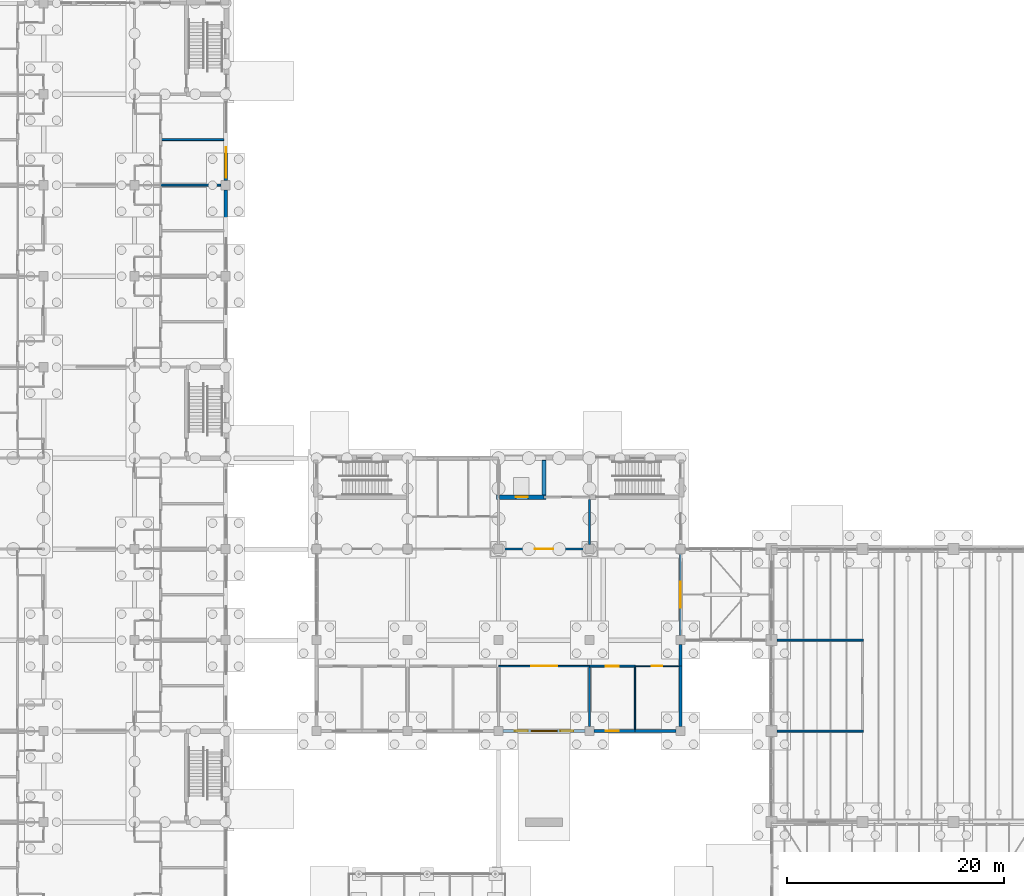
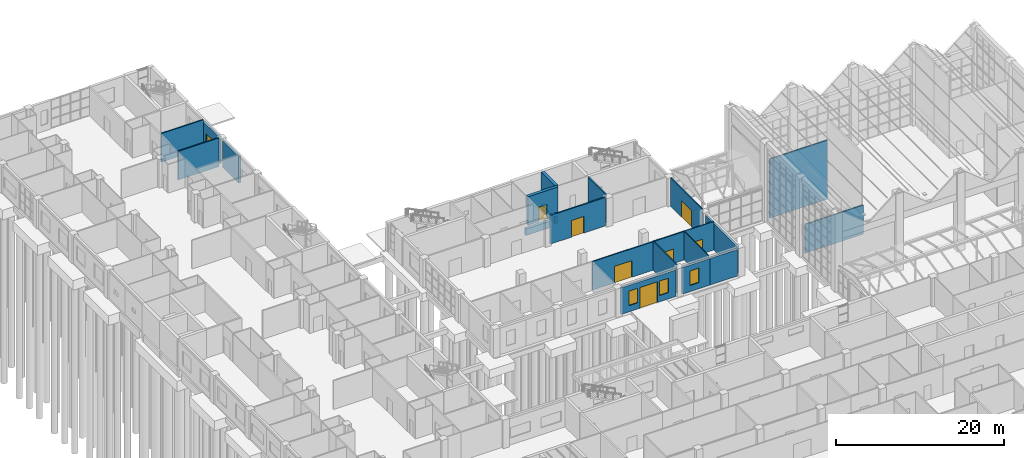
# One storey, part 109 of 138: 23 walls, 7 doors, 4 windows, 11 openings.
"""IFC4 building model written with IfcOpenShell, lengths in metres."""

import ifcopenshell
import ifcopenshell.guid

model = None  # the IFC model being written
_history = None  # IfcOwnerHistory: only IFC2X3 demands one
_inside = {}  # id of a spatial element -> (the spatial element, [elements in it])
_under = {}  # id of a project, library or spatial element -> (it, [spatial elements below it])
_declared = {}  # id of a project -> (the project, [libraries it declares])
_typed = {}  # id of a type object -> (the type object, [elements of that type])
_made_of = {}  # id of a material, layer set ... -> (it, [elements and type objects made of it])


def new_model(schema):
    """Start an empty IFC model of exactly this schema.

    Asked for "IFC4X3", IfcOpenShell would pick the latest addendum, in which some entities
    have other attributes; the version numbers below select the first issue.
    IFC2X3 requires an IfcOwnerHistory on every rooted entity: one is made here for all.
    """
    global model, _history
    if schema == "IFC4X3":
        model = ifcopenshell.file(schema_version=(4, 3, 0, 0))
    else:
        model = ifcopenshell.file(schema=schema)
    _inside.clear()
    _under.clear()
    _declared.clear()
    _typed.clear()
    _made_of.clear()
    _history = None
    if model.schema == "IFC2X3":
        org = make("IfcOrganization", Name="unknown")
        user = make(
            "IfcPersonAndOrganization",
            ThePerson=make("IfcPerson", FamilyName="unknown"),
            TheOrganization=org,
        )
        app = make(
            "IfcApplication",
            ApplicationDeveloper=org,
            Version="unknown",
            ApplicationFullName="unknown",
            ApplicationIdentifier="unknown",
        )
        _history = make(
            "IfcOwnerHistory",
            OwningUser=user,
            OwningApplication=app,
            ChangeAction="ADDED",
            CreationDate=0,
        )
    return model


def make(cls, **values):
    """One entity of the class cls with the attributes given. An attribute that is None is left unset."""
    return model.create_entity(
        cls, **{name: value for name, value in values.items() if value is not None}
    )


def rooted(cls, **values):
    """An entity with a GlobalId (a new one), such as an element, a storey or a relation."""
    return make(cls, GlobalId=ifcopenshell.guid.new(), OwnerHistory=_history, **values)


def si_unit(unit_type, name, prefix=None):
    """IfcSIUnit, for example si_unit("LENGTHUNIT", "METRE", prefix="MILLI")."""
    return make("IfcSIUnit", UnitType=unit_type, Prefix=prefix, Name=name)


def assignment(units):
    """IfcUnitAssignment: the units of a project."""
    return None if units is None else make("IfcUnitAssignment", Units=units)


def point(xyz):
    """IfcCartesianPoint."""
    return None if xyz is None else make("IfcCartesianPoint", Coordinates=xyz)


def direction(xyz):
    """IfcDirection."""
    return None if xyz is None else make("IfcDirection", DirectionRatios=xyz)


def frame(location, z_axis=None, x_axis=None):
    """IfcAxis2Placement3D, a coordinate frame: its origin and axes. An axis left out is left unset."""
    return make(
        "IfcAxis2Placement3D",
        Location=point(location),
        Axis=direction(z_axis),
        RefDirection=direction(x_axis),
    )


def frame_2d(location, x_axis=None):
    """IfcAxis2Placement2D, a coordinate frame in the plane: its origin and x axis."""
    return make(
        "IfcAxis2Placement2D", Location=point(location), RefDirection=direction(x_axis)
    )


def origin():
    """The frame at (0, 0, 0) with its axes left unset."""
    return frame((0.0, 0.0, 0.0))


def place(relative_to, where):
    """IfcLocalPlacement: puts the frame where relative to a parent placement (None: the world)."""
    return make(
        "IfcLocalPlacement", PlacementRelTo=relative_to, RelativePlacement=where
    )


def context(
    kind, dimensions, precision=None, world=None, true_north=None, identifier=None
):
    """IfcGeometricRepresentationContext, for example the 3D "Model" context."""
    return make(
        "IfcGeometricRepresentationContext",
        ContextIdentifier=identifier,
        ContextType=kind,
        CoordinateSpaceDimension=dimensions,
        Precision=precision,
        WorldCoordinateSystem=world,
        TrueNorth=true_north,
    )


def subcontext(parent, identifier, kind, view, scale=None):
    """IfcGeometricRepresentationSubContext, for example "Body" below "Model"."""
    return make(
        "IfcGeometricRepresentationSubContext",
        ContextIdentifier=identifier,
        ContextType=kind,
        ParentContext=parent,
        TargetScale=scale,
        TargetView=view,
    )


def project(units=None, contexts=None):
    """IfcProject with its units and contexts."""
    return rooted(
        "IfcProject",
        Name="project",
        RepresentationContexts=contexts,
        UnitsInContext=assignment(units),
    )


def spatial(cls, under=None, at=None, **own):
    """A site, building, storey or space (cls), placed at a placement, below another one or the project."""
    s = rooted(cls, ObjectPlacement=at, **own)
    if under is not None:
        _under.setdefault(under.id(), (under, []))[1].append(s)
    return s


def profile(cls, at=None, kind="AREA", **sizes):
    """A parametric profile (cls). Its sizes go by their IFC names, for example OverallWidth=200.0."""
    return make(cls, ProfileType=kind, Position=at, **sizes)


def rectangle(**sizes):
    """IfcRectangleProfileDef."""
    return profile("IfcRectangleProfileDef", **sizes)


def extrude(swept, where, along, depth):
    """IfcExtrudedAreaSolid: the profile swept, set in the frame where, extruded along a direction by depth."""
    return make(
        "IfcExtrudedAreaSolid",
        SweptArea=swept,
        Position=where,
        ExtrudedDirection=direction(along),
        Depth=depth,
    )


def shape(context_of_items, identifier, shape_type, items):
    """IfcShapeRepresentation: the items that make up one representation, for example the "Body"."""
    return make(
        "IfcShapeRepresentation",
        ContextOfItems=context_of_items,
        RepresentationIdentifier=identifier,
        RepresentationType=shape_type,
        Items=items,
    )


def material(Name=None, Category=None):
    """IfcMaterial."""
    return make("IfcMaterial", Name=Name, Category=Category)


def layer(
    of_material, thickness, ventilated=None, Name=None, Category=None, Priority=None
):
    """IfcMaterialLayer: one layer of a wall or slab, of a material (None: an air gap)."""
    return make(
        "IfcMaterialLayer",
        Material=of_material,
        LayerThickness=thickness,
        IsVentilated=ventilated,
        Name=Name,
        Category=Category,
        Priority=Priority,
    )


def layer_set(layers, Name=None):
    """IfcMaterialLayerSet."""
    return make("IfcMaterialLayerSet", MaterialLayers=layers, LayerSetName=Name)


def made_of(thing, what):
    """Note that an element or type object is made of a material, layer set ...; save() writes the relation."""
    if what is not None:
        _made_of.setdefault(what.id(), (what, []))[1].append(thing)
    return thing


def type_object(cls, material=None, **own):
    """A type object (cls), such as IfcWallType, which elements share."""
    return made_of(rooted(cls, **own), material)


def element(
    cls,
    number,
    at=None,
    inside=None,
    cuts=None,
    type_object=None,
    material=None,
    context=None,
    identifier="Body",
    shape_type=None,
    held_by="IfcProductDefinitionShape",
    body=None,
    shapes=None,
    **own,
):
    """One element of the class cls, such as IfcWall. Its Tag is "e" and its number.

    at: its placement. inside: the storey or other place that contains it. cuts: it is an
    opening in that element (IfcRelVoidsElement). A single representation is given by context,
    identifier, shape_type and body (its items); several are given by shapes. held_by: the class
    of the entity that holds the representations. save() writes the other relations.
    """
    e = rooted(cls, Tag="e%d" % number, ObjectPlacement=at, **own)
    if body is not None:
        shapes = [shape(context, identifier, shape_type, body)]
    if shapes is not None:
        e.Representation = make(held_by, Representations=shapes)
    if inside is not None:
        _inside.setdefault(inside.id(), (inside, []))[1].append(e)
    if cuts is not None:
        rooted(
            "IfcRelVoidsElement", RelatingBuildingElement=cuts, RelatedOpeningElement=e
        )
    if type_object is not None:
        _typed.setdefault(type_object.id(), (type_object, []))[1].append(e)
    return made_of(e, material)


def fill(opening, filler):
    """IfcRelFillsElement: the door or window that sits in an opening."""
    return rooted(
        "IfcRelFillsElement",
        RelatingOpeningElement=opening,
        RelatedBuildingElement=filler,
    )


def aggregate(whole, parts):
    """IfcRelAggregates: a whole, such as a stair, and the parts it consists of."""
    return rooted("IfcRelAggregates", RelatingObject=whole, RelatedObjects=parts)


def save(model, path):
    """Write the relations noted so far, then the file.

    IfcRelAggregates (storeys below a building ...), IfcRelContainedInSpatialStructure (elements
    in a storey), IfcRelDefinesByType, IfcRelAssociatesMaterial and IfcRelDeclares: one each for
    every whole, place, type object, material and project.
    """
    for whole, parts in _under.values():
        aggregate(whole, parts)
    for where, things in _inside.values():
        rooted(
            "IfcRelContainedInSpatialStructure",
            RelatedElements=things,
            RelatingStructure=where,
        )
    for kind, things in _typed.values():
        rooted("IfcRelDefinesByType", RelatedObjects=things, RelatingType=kind)
    for what, things in _made_of.values():
        rooted("IfcRelAssociatesMaterial", RelatedObjects=things, RelatingMaterial=what)
    for by, libraries in _declared.values():
        rooted("IfcRelDeclares", RelatingContext=by, RelatedDefinitions=libraries)
    model.write(path)


model = new_model("IFC4")

# Units and contexts
model_context = context("Model", 3, precision=1e-05, world=origin(), true_north=direction((0.0, 1.0)))
body_context = subcontext(model_context, "Body", "Model", "MODEL_VIEW")
ifc_project = project(units=[si_unit("LENGTHUNIT", "METRE"), si_unit("AREAUNIT", "SQUARE_METRE"), si_unit("VOLUMEUNIT", "CUBIC_METRE"), si_unit("PLANEANGLEUNIT", "RADIAN"), si_unit("MASSUNIT", "GRAM", prefix="KILO")], contexts=[model_context])

# Site, building, storey
site_placement = place(None, origin())
site = spatial("IfcSite", under=ifc_project, at=site_placement, CompositionType="ELEMENT")
building_placement = place(site_placement, origin())
building = spatial("IfcBuilding", under=site, at=building_placement, Name="Yavir Park General Hospital", CompositionType="ELEMENT")
storey_placement = place(building_placement, origin())
storey = spatial("IfcBuildingStorey", under=building, at=storey_placement, Name="L00", CompositionType="ELEMENT", Elevation=0.0)

# Wall
ifc_material_1 = material(Name="Double-leaf gypsum board acoustic partition on staggered studs")
ifc_layer_1 = layer(ifc_material_1, 0.175048828125)
ifc_layer_set_1 = layer_set([ifc_layer_1], Name="Double-leaf gypsum board acoustic partition on staggered studs")
wall_type_1 = type_object("IfcWallType", Name="Acoustic partition 175", PredefinedType="PARTITIONING", material=ifc_layer_set_1)
wall_1_placement = place(storey_placement, frame((76.10009765625, 50.39990234375, 0.0), z_axis=(0.0, 0.0, 1.0), x_axis=(1.0, 0.0, 0.0)))
element("IfcWall", 1, at=wall_1_placement, inside=storey, type_object=wall_type_1, Name="AP175 L00-128", PredefinedType="PARTITIONING", context=body_context, shape_type="SweptSolid", body=[
    extrude(rectangle(XDim=7.9873046875, YDim=0.175048828125, at=frame_2d((3.99365234375, 0.0))), origin(), (0.0, 0.0, 1.0), 4.199951171875),
])

# Wall, opening, door
wall_2_placement = place(storey_placement, frame((58.800048828125, 56.39990234375, 0.0), z_axis=(0.0, 0.0, 1.0), x_axis=(1.0, 0.0, 0.0)))
wall_2 = element("IfcWall", 2, at=wall_2_placement, inside=storey, type_object=wall_type_1, Name="AP175 L00-139", PredefinedType="PARTITIONING", context=body_context, shape_type="SweptSolid", body=[
    extrude(rectangle(XDim=4.199951171875, YDim=0.175048828125, at=frame_2d((2.10009765625, 0.0))), origin(), (0.0, 0.0, 1.0), 4.139892578125),
])
opening_1_placement = place(wall_2_placement, frame((1.5, 0.0, 0.0)))
opening_1 = element("IfcOpeningElement", 3, at=opening_1_placement, cuts=wall_2, Name="Opening L00.D095", PredefinedType="OPENING", context=body_context, shape_type="SweptSolid", body=[
    extrude(rectangle(XDim=1.199951171875, YDim=2.10009765625, at=frame_2d((0.60009765625, 1.050048828125))), frame((0.0, 0.097412109375, 0.0), z_axis=(0.0, -1.0, 0.0), x_axis=(1.0, 0.0, 0.0)), (0.0, 0.0, 1.0), 0.195068359375),
])
ifc_material_2 = material(Name="Sealed solid-core acoustic door leaf, Rw 42 dB")
door_type_1 = type_object("IfcDoorType", Name="Acoustic door 1200 x 2100", OperationType="SINGLE_SWING_LEFT", PredefinedType="DOOR", material=ifc_material_2)
door_1_placement = place(opening_1_placement, origin())
door_1 = element("IfcDoor", 4, at=door_1_placement, inside=storey, type_object=door_type_1, Name="L00.D095", OperationType="SINGLE_SWING_LEFT", OverallHeight=2.10009765625, OverallWidth=1.199951171875, PredefinedType="DOOR", context=body_context, shape_type="SweptSolid", body=[
    extrude(rectangle(XDim=1.199951171875, YDim=2.10009765625, at=frame_2d((0.60009765625, 1.050048828125))), frame((0.0, 0.03515625, 0.0), z_axis=(0.0, -1.0, 0.0), x_axis=(1.0, 0.0, 0.0)), (0.0, 0.0, 1.0), 0.070068359375),
])
fill(opening_1, door_1)

# Walls
wall_3_placement = place(storey_placement, frame((76.10009765625, 58.800048828125, 0.0), z_axis=(0.0, 0.0, 1.0), x_axis=(1.0, 0.0, 0.0)))
element("IfcWall", 5, at=wall_3_placement, inside=storey, type_object=wall_type_1, Name="AP175 L00-145", PredefinedType="PARTITIONING", context=body_context, shape_type="SweptSolid", body=[
    extrude(rectangle(XDim=7.9873046875, YDim=0.175048828125, at=frame_2d((3.99365234375, 0.0))), origin(), (0.0, 0.0, 1.0), 8.554931640625),
])
wall_4_placement = place(storey_placement, frame((19.199951171875, 100.800048828125, 0.0), z_axis=(0.0, 0.0, 1.0), x_axis=(1.0, 0.0, 0.0)))
element("IfcWall", 6, at=wall_4_placement, inside=storey, type_object=wall_type_1, Name="AP175 L00-229", PredefinedType="PARTITIONING", context=body_context, shape_type="SweptSolid", body=[
    extrude(rectangle(XDim=5.574951171875, YDim=0.175048828125, at=frame_2d((2.78759765625, 0.0))), origin(), (0.0, 0.0, 1.0), 4.139892578125),
])
wall_5_placement = place(storey_placement, frame((19.28759765625, 105.0, 0.0), z_axis=(0.0, 0.0, 1.0), x_axis=(1.0, 0.0, 0.0)))
element("IfcWall", 7, at=wall_5_placement, inside=storey, type_object=wall_type_1, Name="AP175 L00-236", PredefinedType="PARTITIONING", context=body_context, shape_type="SweptSolid", body=[
    extrude(rectangle(XDim=5.762451171875, YDim=0.175048828125, at=frame_2d((2.88134765625, 0.0))), origin(), (0.0, 0.0, 1.0), 4.139892578125),
])
wall_6_placement = place(storey_placement, frame((58.800048828125, 50.824951171875, 0.0), z_axis=(0.0, 0.0, 1.0), x_axis=(0.0, 1.0, 0.0)))
element("IfcWall", 8, at=wall_6_placement, inside=storey, type_object=wall_type_1, Name="AP175 L00-378", PredefinedType="PARTITIONING", context=body_context, shape_type="SweptSolid", body=[
    extrude(rectangle(XDim=5.487548828125, YDim=0.175048828125, at=frame_2d((2.74365234375, 0.0))), origin(), (0.0, 0.0, 1.0), 4.139892578125),
])

# Wall, openings, door, windows
ifc_material_3 = material(Name="Brick slip cladding on insulated block backing", Category="masonry")
ifc_layer_2 = layer(ifc_material_3, 0.27490234375)
ifc_layer_set_2 = layer_set([ifc_layer_2], Name="Brick slip cladding on insulated block backing")
wall_type_2 = type_object("IfcWallType", Name="Brick slip faced pavilion wall 275, E 30", PredefinedType="SOLIDWALL", material=ifc_layer_set_2)
wall_7_placement = place(storey_placement, frame((50.824951171875, 50.41259765625, 0.0), z_axis=(0.0, 0.0, 1.0), x_axis=(1.0, 0.0, 0.0)))
wall_7 = element("IfcWall", 9, at=wall_7_placement, inside=storey, type_object=wall_type_2, Name="XW3 L00-061", PredefinedType="SOLIDWALL", context=body_context, shape_type="SweptSolid", body=[
    extrude(rectangle(XDim=7.550048828125, YDim=0.27490234375, at=frame_2d((3.77490234375, 0.0))), origin(), (0.0, 0.0, 1.0), 3.840087890625),
])
opening_2_placement = place(wall_7_placement, frame((1.074951171875, 0.0, 0.89990234375)))
opening_2 = element("IfcOpeningElement", 10, at=opening_2_placement, cuts=wall_7, Name="Opening WD2", PredefinedType="OPENING", context=body_context, shape_type="SweptSolid", body=[
    extrude(rectangle(XDim=1.199951171875, YDim=2.10009765625, at=frame_2d((0.60009765625, 1.050048828125))), frame((0.0, 0.1474609375, 0.0), z_axis=(0.0, -1.0, 0.0), x_axis=(1.0, 0.0, 0.0)), (0.0, 0.0, 1.0), 0.294921875),
])
opening_3_placement = place(wall_7_placement, frame((5.27490234375, 0.0, 0.89990234375)))
opening_3 = element("IfcOpeningElement", 11, at=opening_3_placement, cuts=wall_7, Name="Opening WD2", PredefinedType="OPENING", context=body_context, shape_type="SweptSolid", body=[
    extrude(rectangle(XDim=1.199951171875, YDim=2.10009765625, at=frame_2d((0.60009765625, 1.050048828125))), frame((0.0, 0.1474609375, 0.0), z_axis=(0.0, -1.0, 0.0), x_axis=(1.0, 0.0, 0.0)), (0.0, 0.0, 1.0), 0.294921875),
])
opening_4_placement = place(wall_7_placement, frame((2.574951171875, 0.0, 0.0)))
opening_4 = element("IfcOpeningElement", 12, at=opening_4_placement, cuts=wall_7, Name="Opening L00.X15", PredefinedType="OPENING", context=body_context, shape_type="SweptSolid", body=[
    extrude(rectangle(XDim=2.39990234375, YDim=3.0, at=frame_2d((1.199951171875, 1.5))), frame((0.0, 0.1474609375, 0.0), z_axis=(0.0, -1.0, 0.0), x_axis=(1.0, 0.0, 0.0)), (0.0, 0.0, 1.0), 0.294921875),
])
ifc_material_4 = material(Name="Aluminium frame, toughened glass leaves", Category="aluminium")
door_type_2 = type_object("IfcDoorType", Name="Automatic entrance sliding door 2400 x 3000", OperationType="DOUBLE_DOOR_SLIDING", PredefinedType="DOOR", material=ifc_material_4)
door_2_placement = place(opening_4_placement, frame((2.39990234375, 0.0, 0.0), x_axis=(-1.0, 0.0, 0.0)))
door_2 = element("IfcDoor", 13, at=door_2_placement, inside=storey, type_object=door_type_2, Name="L00.X15", OperationType="DOUBLE_DOOR_SLIDING", OverallHeight=3.0, OverallWidth=2.39990234375, PredefinedType="DOOR", context=body_context, shape_type="SweptSolid", body=[
    extrude(rectangle(XDim=2.39990234375, YDim=3.0, at=frame_2d((1.199951171875, 1.5))), frame((0.0, 0.06005859375, 0.0), z_axis=(0.0, -1.0, 0.0), x_axis=(1.0, 0.0, 0.0)), (0.0, 0.0, 1.0), 0.1201171875),
])
fill(opening_4, door_2)
ifc_material_5 = material(Name="Aluminium frame, double glazed unit", Category="aluminium")
window_type_1 = type_object("IfcWindowType", Name="Tall office window 1200 x 2100", PartitioningType="SINGLE_PANEL", PredefinedType="WINDOW", material=ifc_material_5)
window_1_placement = place(opening_2_placement, origin())
window_1 = element("IfcWindow", 14, at=window_1_placement, inside=storey, type_object=window_type_1, Name="WD2 L00-019", OverallHeight=2.10009765625, OverallWidth=1.199951171875, PartitioningType="SINGLE_PANEL", PredefinedType="WINDOW", context=body_context, shape_type="SweptSolid", body=[
    extrude(rectangle(XDim=1.199951171875, YDim=2.10009765625, at=frame_2d((0.60009765625, 1.050048828125))), frame((0.0, 0.030029296875, 0.0), z_axis=(0.0, -1.0, 0.0), x_axis=(1.0, 0.0, 0.0)), (0.0, 0.0, 1.0), 0.06005859375),
])
fill(opening_2, window_1)
window_2_placement = place(opening_3_placement, origin())
window_2 = element("IfcWindow", 15, at=window_2_placement, inside=storey, type_object=window_type_1, Name="WD2 L00-020", OverallHeight=2.10009765625, OverallWidth=1.199951171875, PartitioningType="SINGLE_PANEL", PredefinedType="WINDOW", context=body_context, shape_type="SweptSolid", body=[
    extrude(rectangle(XDim=1.199951171875, YDim=2.10009765625, at=frame_2d((0.60009765625, 1.050048828125))), frame((0.0, 0.030029296875, 0.0), z_axis=(0.0, -1.0, 0.0), x_axis=(1.0, 0.0, 0.0)), (0.0, 0.0, 1.0), 0.06005859375),
])
fill(opening_3, window_2)

# Wall, opening, window
wall_8_placement = place(storey_placement, frame((59.22509765625, 50.41259765625, 0.0), z_axis=(0.0, 0.0, 1.0), x_axis=(1.0, 0.0, 0.0)))
wall_8 = element("IfcWall", 16, at=wall_8_placement, inside=storey, type_object=wall_type_2, Name="XW3 L00-062", PredefinedType="SOLIDWALL", context=body_context, shape_type="SweptSolid", body=[
    extrude(rectangle(XDim=3.77490234375, YDim=0.27490234375, at=frame_2d((1.887451171875, 0.0))), origin(), (0.0, 0.0, 1.0), 3.840087890625),
])
opening_5_placement = place(wall_8_placement, frame((1.074951171875, 0.0, 0.89990234375)))
opening_5 = element("IfcOpeningElement", 17, at=opening_5_placement, cuts=wall_8, Name="Opening WD2", PredefinedType="OPENING", context=body_context, shape_type="SweptSolid", body=[
    extrude(rectangle(XDim=1.199951171875, YDim=2.10009765625, at=frame_2d((0.60009765625, 1.050048828125))), frame((0.0, 0.1474609375, 0.0), z_axis=(0.0, -1.0, 0.0), x_axis=(1.0, 0.0, 0.0)), (0.0, 0.0, 1.0), 0.294921875),
])
window_3_placement = place(opening_5_placement, origin())
window_3 = element("IfcWindow", 18, at=window_3_placement, inside=storey, type_object=window_type_1, Name="WD2 L00-021", OverallHeight=2.10009765625, OverallWidth=1.199951171875, PartitioningType="SINGLE_PANEL", PredefinedType="WINDOW", context=body_context, shape_type="SweptSolid", body=[
    extrude(rectangle(XDim=1.199951171875, YDim=2.10009765625, at=frame_2d((0.60009765625, 1.050048828125))), frame((0.0, 0.030029296875, 0.0), z_axis=(0.0, -1.0, 0.0), x_axis=(1.0, 0.0, 0.0)), (0.0, 0.0, 1.0), 0.06005859375),
])
fill(opening_5, window_3)

# Walls
wall_9_placement = place(storey_placement, frame((63.0, 50.41259765625, 0.0), z_axis=(0.0, 0.0, 1.0), x_axis=(1.0, 0.0, 0.0)))
element("IfcWall", 19, at=wall_9_placement, inside=storey, type_object=wall_type_2, Name="XW3 L00-063", PredefinedType="SOLIDWALL", context=body_context, shape_type="SweptSolid", body=[
    extrude(rectangle(XDim=3.77490234375, YDim=0.27490234375, at=frame_2d((1.887451171875, 0.0))), origin(), (0.0, 0.0, 1.0), 3.840087890625),
])
wall_10_placement = place(storey_placement, frame((67.1875, 50.824951171875, 0.0), z_axis=(0.0, 0.0, 1.0), x_axis=(0.0, 1.0, 0.0)))
element("IfcWall", 20, at=wall_10_placement, inside=storey, type_object=wall_type_2, Name="XW3 L00-145", PredefinedType="SOLIDWALL", context=body_context, shape_type="SweptSolid", body=[
    extrude(rectangle(XDim=5.574951171875, YDim=0.27490234375, at=frame_2d((2.78759765625, 0.0))), origin(), (0.0, 0.0, 1.0), 3.840087890625),
])
wall_11_placement = place(storey_placement, frame((67.1875, 56.39990234375, 0.0), z_axis=(0.0, 0.0, 1.0), x_axis=(0.0, 1.0, 0.0)))
element("IfcWall", 21, at=wall_11_placement, inside=storey, type_object=wall_type_2, Name="XW3 L00-146", PredefinedType="SOLIDWALL", context=body_context, shape_type="SweptSolid", body=[
    extrude(rectangle(XDim=1.97509765625, YDim=0.27490234375, at=frame_2d((0.987548828125, 0.0))), origin(), (0.0, 0.0, 1.0), 3.840087890625),
])

# Wall, opening, door
ifc_material_6 = material(Name="Double gypsum board fire partition on steel studs", Category="steel")
ifc_layer_3 = layer(ifc_material_6, 0.199951171875)
ifc_layer_set_3 = layer_set([ifc_layer_3], Name="Double gypsum board fire partition on steel studs")
wall_type_3 = type_object("IfcWallType", Name="Fire-rated partition 200, EI 60", PredefinedType="PARTITIONING", material=ifc_layer_set_3)
wall_12_placement = place(storey_placement, frame((50.824951171875, 67.199951171875, 0.0), z_axis=(0.0, 0.0, 1.0), x_axis=(1.0, 0.0, 0.0)))
wall_12 = element("IfcWall", 22, at=wall_12_placement, inside=storey, type_object=wall_type_3, Name="FP20 L00-162", PredefinedType="PARTITIONING", context=body_context, shape_type="SweptSolid", body=[
    extrude(rectangle(XDim=7.550048828125, YDim=0.199951171875, at=frame_2d((3.77490234375, 0.0))), origin(), (0.0, 0.0, 1.0), 4.139892578125),
])
opening_6_placement = place(wall_12_placement, frame((2.925048828125, 0.0, 0.0)))
opening_6 = element("IfcOpeningElement", 23, at=opening_6_placement, cuts=wall_12, Name="Opening L00.D105", PredefinedType="OPENING", context=body_context, shape_type="SweptSolid", body=[
    extrude(rectangle(XDim=1.699951171875, YDim=2.39990234375, at=frame_2d((0.85009765625, 1.199951171875))), frame((0.0, 0.10986328125, 0.0), z_axis=(0.0, -1.0, 0.0), x_axis=(1.0, 0.0, 0.0)), (0.0, 0.0, 1.0), 0.219970703125),
])
ifc_material_7 = material(Name="Steel frame, fire-resisting timber leaves", Category="steel")
door_type_3 = type_object("IfcDoorType", Name="Double fire door 1700 x 2400, EI 60", OperationType="DOUBLE_DOOR_SINGLE_SWING", PredefinedType="DOOR", material=ifc_material_7)
door_3_placement = place(opening_6_placement, origin())
door_3 = element("IfcDoor", 24, at=door_3_placement, inside=storey, type_object=door_type_3, Name="L00.D105", OperationType="SINGLE_SWING_RIGHT", OverallHeight=2.39990234375, OverallWidth=1.699951171875, PredefinedType="DOOR", context=body_context, shape_type="SweptSolid", body=[
    extrude(rectangle(XDim=1.699951171875, YDim=2.39990234375, at=frame_2d((0.85009765625, 1.199951171875))), frame((0.0, 0.02490234375, 0.0), z_axis=(0.0, -1.0, 0.0), x_axis=(1.0, 0.0, 0.0)), (0.0, 0.0, 1.0), 0.050048828125),
])
fill(opening_6, door_3)

# Wall
wall_13_placement = place(storey_placement, frame((58.800048828125, 67.625, 0.0), z_axis=(0.0, 0.0, 1.0), x_axis=(0.0, 1.0, 0.0)))
element("IfcWall", 25, at=wall_13_placement, inside=storey, type_object=wall_type_3, Name="FP20 L00-379", PredefinedType="PARTITIONING", context=body_context, shape_type="SweptSolid", body=[
    extrude(rectangle(XDim=4.175048828125, YDim=0.199951171875, at=frame_2d((2.08740234375, 0.0))), origin(), (0.0, 0.0, 1.0), 4.139892578125),
])

# Wall, opening, door
ifc_material_8 = material(Name="Gypsum board partition on steel studs", Category="steel")
ifc_layer_4 = layer(ifc_material_8, 0.10009765625)
ifc_layer_set_4 = layer_set([ifc_layer_4], Name="Gypsum board partition on steel studs")
wall_type_4 = type_object("IfcWallType", Name="Gypsum board partition 100", PredefinedType="PARTITIONING", material=ifc_layer_set_4)
wall_14_placement = place(storey_placement, frame((63.0, 56.39990234375, 0.0), z_axis=(0.0, 0.0, 1.0), x_axis=(1.0, 0.0, 0.0)))
wall_14 = element("IfcWall", 26, at=wall_14_placement, inside=storey, type_object=wall_type_4, Name="P10 L00-140", PredefinedType="PARTITIONING", context=body_context, shape_type="SweptSolid", body=[
    extrude(rectangle(XDim=4.050048828125, YDim=0.10009765625, at=frame_2d((2.02490234375, 0.0))), origin(), (0.0, 0.0, 1.0), 4.139892578125),
])
opening_7_placement = place(wall_14_placement, frame((1.52490234375, 0.0, 0.0)))
opening_7 = element("IfcOpeningElement", 27, at=opening_7_placement, cuts=wall_14, Name="Opening L00.D096", PredefinedType="OPENING", context=body_context, shape_type="SweptSolid", body=[
    extrude(rectangle(XDim=1.0, YDim=2.10009765625, at=frame_2d((0.5, 1.050048828125))), frame((0.0, 0.06005859375, 0.0), z_axis=(0.0, -1.0, 0.0), x_axis=(1.0, 0.0, 0.0)), (0.0, 0.0, 1.0), 0.1201171875),
])
ifc_material_9 = material(Name="Hollow metal frame, solid-core timber leaf", Category="wood")
door_type_4 = type_object("IfcDoorType", Name="Single swing door 1000 x 2100", OperationType="SINGLE_SWING_LEFT", PredefinedType="DOOR", material=ifc_material_9)
door_4_placement = place(opening_7_placement, origin())
door_4 = element("IfcDoor", 28, at=door_4_placement, inside=storey, type_object=door_type_4, Name="L00.D096", OperationType="SINGLE_SWING_LEFT", OverallHeight=2.10009765625, OverallWidth=1.0, PredefinedType="DOOR", context=body_context, shape_type="SweptSolid", body=[
    extrude(rectangle(XDim=1.0, YDim=2.10009765625, at=frame_2d((0.5, 1.050048828125))), frame((0.0, 0.02490234375, 0.0), z_axis=(0.0, -1.0, 0.0), x_axis=(1.0, 0.0, 0.0)), (0.0, 0.0, 1.0), 0.050048828125),
])
fill(opening_7, door_4)

# Wall
wall_15_placement = place(storey_placement, frame((63.0, 50.550048828125, 0.0), z_axis=(0.0, 0.0, 1.0), x_axis=(0.0, 1.0, 0.0)))
element("IfcWall", 29, at=wall_15_placement, inside=storey, type_object=wall_type_4, Name="P10 L00-382", PredefinedType="PARTITIONING", context=body_context, shape_type="SweptSolid", body=[
    extrude(rectangle(XDim=5.762451171875, YDim=0.10009765625, at=frame_2d((2.88134765625, 0.0))), origin(), (0.0, 0.0, 1.0), 4.139892578125),
])

# Wall, opening, door
ifc_material_10 = material(Name="Gypsum board partition on steel studs", Category="steel")
ifc_layer_5 = layer(ifc_material_10, 0.14990234375)
ifc_layer_set_5 = layer_set([ifc_layer_5], Name="Gypsum board partition on steel studs")
wall_type_5 = type_object("IfcWallType", Name="Gypsum board partition 150", PredefinedType="PARTITIONING", material=ifc_layer_set_5)
wall_16_placement = place(storey_placement, frame((50.39990234375, 56.39990234375, 0.0), z_axis=(0.0, 0.0, 1.0), x_axis=(1.0, 0.0, 0.0)))
wall_16 = element("IfcWall", 30, at=wall_16_placement, inside=storey, type_object=wall_type_5, Name="P15 L00-138", PredefinedType="PARTITIONING", context=body_context, shape_type="SweptSolid", body=[
    extrude(rectangle(XDim=8.400146484375, YDim=0.14990234375, at=frame_2d((4.2001953125, 0.0))), origin(), (0.0, 0.0, 1.0), 4.139892578125),
])
opening_8_placement = place(wall_16_placement, frame((3.0, 0.0, 0.0)))
opening_8 = element("IfcOpeningElement", 31, at=opening_8_placement, cuts=wall_16, Name="Opening L00.D094", PredefinedType="OPENING", context=body_context, shape_type="SweptSolid", body=[
    extrude(rectangle(XDim=2.39990234375, YDim=2.39990234375, at=frame_2d((1.199951171875, 1.199951171875))), frame((0.0, 0.0849609375, 0.0), z_axis=(0.0, -1.0, 0.0), x_axis=(1.0, 0.0, 0.0)), (0.0, 0.0, 1.0), 0.169921875),
])
ifc_material_11 = material(Name="Aluminium frame, toughened glass leaves", Category="aluminium")
door_type_5 = type_object("IfcDoorType", Name="Double sliding door 2400 x 2400", OperationType="DOUBLE_DOOR_SLIDING", PredefinedType="DOOR", material=ifc_material_11)
door_5_placement = place(opening_8_placement, origin())
door_5 = element("IfcDoor", 32, at=door_5_placement, inside=storey, type_object=door_type_5, Name="L00.D094", OperationType="DOUBLE_DOOR_SLIDING", OverallHeight=2.39990234375, OverallWidth=2.39990234375, PredefinedType="DOOR", context=body_context, shape_type="SweptSolid", body=[
    extrude(rectangle(XDim=2.39990234375, YDim=2.39990234375, at=frame_2d((1.199951171875, 1.199951171875))), frame((0.0, 0.02490234375, 0.0), z_axis=(0.0, -1.0, 0.0), x_axis=(1.0, 0.0, 0.0)), (0.0, 0.0, 1.0), 0.050048828125),
])
fill(opening_8, door_5)

wall_17_placement = place(storey_placement, frame((67.199951171875, 59.22509765625, 0.0), z_axis=(0.0, 0.0, 1.0), x_axis=(0.0, 1.0, 0.0)))
wall_17 = element("IfcWall", 33, at=wall_17_placement, inside=storey, type_object=wall_type_5, Name="P15 L00-389", PredefinedType="PARTITIONING", context=body_context, shape_type="SweptSolid", body=[
    extrude(rectangle(XDim=7.5498046875, YDim=0.14990234375, at=frame_2d((3.77490234375, 0.0))), origin(), (0.0, 0.0, 1.0), 4.139892578125),
])
opening_9_placement = place(wall_17_placement, frame((2.574951171875, 0.0, 0.0)))
opening_9 = element("IfcOpeningElement", 34, at=opening_9_placement, cuts=wall_17, Name="Opening L00.D196", PredefinedType="OPENING", context=body_context, shape_type="SweptSolid", body=[
    extrude(rectangle(XDim=2.39990234375, YDim=2.39990234375, at=frame_2d((1.199951171875, 1.199951171875))), frame((0.0, 0.0849609375, 0.0), z_axis=(0.0, -1.0, 0.0), x_axis=(1.0, 0.0, 0.0)), (0.0, 0.0, 1.0), 0.169921875),
])
door_6_placement = place(opening_9_placement, origin())
door_6 = element("IfcDoor", 35, at=door_6_placement, inside=storey, type_object=door_type_5, Name="L00.D196", OperationType="DOUBLE_DOOR_SLIDING", OverallHeight=2.39990234375, OverallWidth=2.39990234375, PredefinedType="DOOR", context=body_context, shape_type="SweptSolid", body=[
    extrude(rectangle(XDim=2.39990234375, YDim=2.39990234375, at=frame_2d((1.199951171875, 1.199951171875))), frame((0.0, 0.02490234375, 0.0), z_axis=(0.0, -1.0, 0.0), x_axis=(1.0, 0.0, 0.0)), (0.0, 0.0, 1.0), 0.050048828125),
])
fill(opening_9, door_6)

# Wall
ifc_material_12 = material(Name="Concrete C30/37 precast panel with 120 mm mineral wool insulation", Category="concrete")
ifc_layer_6 = layer(ifc_material_12, 0.35009765625)
ifc_layer_set_6 = layer_set([ifc_layer_6], Name="Concrete C30/37 precast panel with 120 mm mineral wool insulation")
wall_type_6 = type_object("IfcWallType", Name="Precast cladding panel podium wall 350, E 30", PredefinedType="SOLIDWALL", material=ifc_layer_set_6)
wall_18_placement = place(storey_placement, frame((25.22509765625, 96.60009765625, 0.0), z_axis=(0.0, 0.0, 1.0), x_axis=(0.0, 1.0, 0.0)))
element("IfcWall", 36, at=wall_18_placement, inside=storey, type_object=wall_type_6, Name="XW2 L00-133", PredefinedType="SOLIDWALL", context=body_context, shape_type="SweptSolid", body=[
    extrude(rectangle(XDim=3.77490234375, YDim=0.35009765625, at=frame_2d((1.887451171875, 0.0))), origin(), (0.0, 0.0, 1.0), 3.840087890625),
])

# Wall, opening, window
wall_19_placement = place(storey_placement, frame((25.22509765625, 101.22509765625, 0.0), z_axis=(0.0, 0.0, 1.0), x_axis=(0.0, 1.0, 0.0)))
wall_19 = element("IfcWall", 37, at=wall_19_placement, inside=storey, type_object=wall_type_6, Name="XW2 L00-134", PredefinedType="SOLIDWALL", context=body_context, shape_type="SweptSolid", body=[
    extrude(rectangle(XDim=3.77490234375, YDim=0.35009765625, at=frame_2d((1.887451171875, 0.0))), origin(), (0.0, 0.0, 1.0), 3.840087890625),
])
opening_10_placement = place(wall_19_placement, frame((0.27490234375, 0.0, 1.0)))
opening_10 = element("IfcOpeningElement", 38, at=opening_10_placement, cuts=wall_19, Name="Opening WRB2", PredefinedType="OPENING", context=body_context, shape_type="SweptSolid", body=[
    extrude(rectangle(XDim=2.800048828125, YDim=1.5, at=frame_2d((1.39990234375, 0.75))), frame((0.0, 0.18505859375, 0.0), z_axis=(0.0, -1.0, 0.0), x_axis=(1.0, 0.0, 0.0)), (0.0, 0.0, 1.0), 0.3701171875),
])
ifc_material_13 = material(Name="Aluminium frame, double glazed unit", Category="aluminium")
window_type_2 = type_object("IfcWindowType", Name="Tall ribbon window 2800 x 1500", PartitioningType="DOUBLE_PANEL_VERTICAL", PredefinedType="WINDOW", material=ifc_material_13)
window_4_placement = place(opening_10_placement, origin())
window_4 = element("IfcWindow", 39, at=window_4_placement, inside=storey, type_object=window_type_2, Name="WRB2 L00-059", OverallHeight=1.5, OverallWidth=2.800048828125, PartitioningType="DOUBLE_PANEL_VERTICAL", PredefinedType="WINDOW", context=body_context, shape_type="SweptSolid", body=[
    extrude(rectangle(XDim=2.800048828125, YDim=1.5, at=frame_2d((1.39990234375, 0.75))), frame((0.0, 0.030029296875, 0.0), z_axis=(0.0, -1.0, 0.0), x_axis=(1.0, 0.0, 0.0)), (0.0, 0.0, 1.0), 0.06005859375),
])
fill(opening_10, window_4)

# Walls
ifc_material_14 = material(Name="Concrete C35/45", Category="concrete")
ifc_layer_7 = layer(ifc_material_14, 0.39990234375)
ifc_layer_set_7 = layer_set([ifc_layer_7], Name="Concrete C35/45")
wall_type_7 = type_object("IfcWallType", Name="RC WALL LIFT PIT 400", PredefinedType="SOLIDWALL", material=ifc_layer_set_7)
wall_20_placement = place(storey_placement, frame((50.199951171875, 72.0, -1.39990234375), z_axis=(0.0, 0.0, 1.0), x_axis=(1.0, 0.0, 0.0)))
element("IfcWall", 40, at=wall_20_placement, inside=storey, type_object=wall_type_7, Name="W:PIT:CPL:0", PredefinedType="SOLIDWALL", context=body_context, shape_type="SweptSolid", body=[
    extrude(rectangle(XDim=4.60009765625, YDim=0.39990234375, at=frame_2d((2.300048828125, 0.0))), origin(), (0.0, 0.0, 1.0), 0.949951171875),
])
wall_21_placement = place(storey_placement, frame((54.60009765625, 72.199951171875, -1.39990234375), z_axis=(0.0, 0.0, 1.0), x_axis=(0.0, 1.0, 0.0)))
element("IfcWall", 41, at=wall_21_placement, inside=storey, type_object=wall_type_7, Name="W:PIT:CPL:3", PredefinedType="SOLIDWALL", context=body_context, shape_type="SweptSolid", body=[
    extrude(rectangle(XDim=3.199951171875, YDim=0.39990234375, at=frame_2d((1.60009765625, 0.0))), origin(), (0.0, 0.0, 1.0), 0.949951171875),
])

# Wall, opening, door
ifc_material_15 = material(Name="Concrete C35/45", Category="concrete")
ifc_layer_8 = layer(ifc_material_15, 0.39990234375)
ifc_layer_set_8 = layer_set([ifc_layer_8], Name="Concrete C35/45")
wall_type_8 = type_object("IfcWallType", Name="Reinforced concrete core wall 400, REI 150", PredefinedType="SHEAR", material=ifc_layer_set_8)
wall_22_placement = place(storey_placement, frame((50.5, 72.0, 0.0), z_axis=(0.0, 0.0, 1.0), x_axis=(1.0, 0.0, 0.0)))
wall_22 = element("IfcWall", 42, at=wall_22_placement, inside=storey, type_object=wall_type_8, Name="CW40 L00-172", PredefinedType="SHEAR", context=body_context, shape_type="SweptSolid", body=[
    extrude(rectangle(XDim=4.10009765625, YDim=0.39990234375, at=frame_2d((2.050048828125, 0.0))), origin(), (0.0, 0.0, 1.0), 4.139892578125),
])
opening_11_placement = place(wall_22_placement, frame((1.5, 0.0, 0.0)))
opening_11 = element("IfcOpeningElement", 43, at=opening_11_placement, cuts=wall_22, Name="Opening L00.D112", PredefinedType="OPENING", context=body_context, shape_type="SweptSolid", body=[
    extrude(rectangle(XDim=1.10009765625, YDim=2.10009765625, at=frame_2d((0.550048828125, 1.050048828125))), frame((0.0, 0.2099609375, 0.0), z_axis=(0.0, -1.0, 0.0), x_axis=(1.0, 0.0, 0.0)), (0.0, 0.0, 1.0), 0.419921875),
])
ifc_material_16 = material(Name="Stainless steel landing door panels", Category="steel")
door_type_6 = type_object("IfcDoorType", Name="Lift landing door 1100 x 2100, EI 60", OperationType="SLIDING_TO_LEFT", PredefinedType="DOOR", material=ifc_material_16)
door_7_placement = place(opening_11_placement, origin())
door_7 = element("IfcDoor", 44, at=door_7_placement, inside=storey, type_object=door_type_6, Name="L00.D112", OperationType="SLIDING_TO_LEFT", OverallHeight=2.10009765625, OverallWidth=1.10009765625, PredefinedType="DOOR", context=body_context, shape_type="SweptSolid", body=[
    extrude(rectangle(XDim=1.10009765625, YDim=2.10009765625, at=frame_2d((0.550048828125, 1.050048828125))), frame((0.0, 0.02490234375, 0.0), z_axis=(0.0, -1.0, 0.0), x_axis=(1.0, 0.0, 0.0)), (0.0, 0.0, 1.0), 0.050048828125),
])
fill(opening_11, door_7)

# Wall
wall_23_placement = place(storey_placement, frame((54.60009765625, 72.199951171875, 0.0), z_axis=(0.0, 0.0, 1.0), x_axis=(0.0, 1.0, 0.0)))
element("IfcWall", 45, at=wall_23_placement, inside=storey, type_object=wall_type_8, Name="CW40 L00-374", PredefinedType="SHEAR", context=body_context, shape_type="SweptSolid", body=[
    extrude(rectangle(XDim=3.25, YDim=0.39990234375, at=frame_2d((1.625, 0.0))), origin(), (0.0, 0.0, 1.0), 4.139892578125),
])

save(model, "model.ifc")
